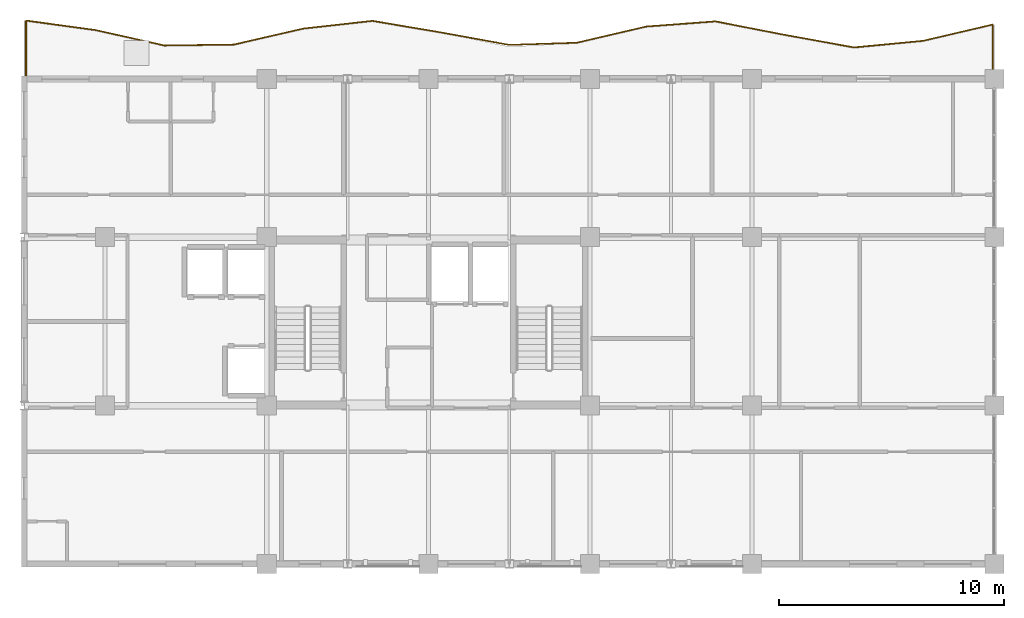
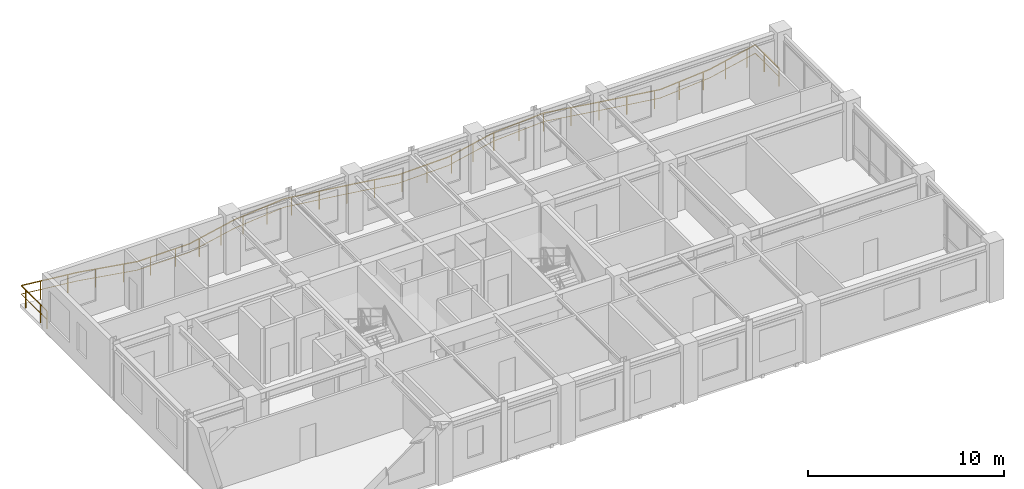
# One storey, part 11 of 11: 1 railing.
"""IFC4 building model written with IfcOpenShell, lengths in metres."""

from ifc_helpers import new_model, si_unit, direction, frame, origin, origin_2d, place, context, subcontext, project, spatial, rectangle, extrude, material, type_object, element, save


model = new_model("IFC4")

# Units and contexts
model_context = context("Model", 3, precision=1e-05, world=origin(), true_north=direction((0.0, 1.0)))
body_context = subcontext(model_context, "Body", "Model", "MODEL_VIEW")
ifc_project = project(units=[si_unit("LENGTHUNIT", "METRE"), si_unit("AREAUNIT", "SQUARE_METRE"), si_unit("VOLUMEUNIT", "CUBIC_METRE"), si_unit("PLANEANGLEUNIT", "RADIAN"), si_unit("MASSUNIT", "GRAM", prefix="KILO")], contexts=[model_context])

# Site, building, storey
site_placement = place(None, origin())
site = spatial("IfcSite", under=ifc_project, at=site_placement, CompositionType="ELEMENT")
building_placement = place(site_placement, origin())
building = spatial("IfcBuilding", under=site, at=building_placement, Name="Kaliganga Portal Commons", CompositionType="ELEMENT")
storey_placement = place(building_placement, frame((0.0, 0.0, 272.10009765625)))
storey = spatial("IfcBuildingStorey", under=building, at=storey_placement, Name="L70", CompositionType="ELEMENT", Elevation=272.10009765625)

# Railing
ifc_material = material(Name="Laminated Safety Glass and Stainless Steel 316", Category="steel")
railing_type = type_object("IfcRailingType", Name="RLG-BAL-1150", PredefinedType="BALUSTRADE", material=ifc_material)
railing_placement = place(storey_placement, frame((46.72021484375, 43.20654296875, 0.0)))
element("IfcRailing", 1, at=railing_placement, inside=storey, type_object=railing_type, Name="Balcony Guardrail L70 balc_north", PredefinedType="BALUSTRADE", context=body_context, shape_type="SweptSolid", body=[
    extrude(rectangle(XDim=0.048095703125, YDim=0.048095703125, at=origin_2d()), frame((0.0, 0.0, 1.1259765625), z_axis=(-0.00010119409, 0.99999999488, 0.0), x_axis=(-0.99999999488, -0.00010119409, 0.0)), (0.0, 0.0, 1.0), 2.41259765625),
    extrude(rectangle(XDim=0.028076171875, YDim=0.028076171875, at=origin_2d()), frame((0.0, 0.0, 0.597900390625), z_axis=(-0.00010119409, 0.99999999488, 0.0), x_axis=(-0.99999999488, -0.00010119409, 0.0)), (0.0, 0.0, 1.0), 2.41259765625),
    extrude(rectangle(XDim=0.048095703125, YDim=0.048095703125, at=origin_2d()), frame((-0.000244140625, 2.41259765625, 1.1259765625), z_axis=(-0.973586620421, -0.228317963678, 0.0), x_axis=(0.228317963678, -0.973586620421, 0.0)), (0.0, 0.0, 1.0), 3.16943359375),
    extrude(rectangle(XDim=0.028076171875, YDim=0.028076171875, at=origin_2d()), frame((-0.000244140625, 2.41259765625, 0.597900390625), z_axis=(-0.973586620421, -0.228317963678, 0.0), x_axis=(0.228317963678, -0.973586620421, 0.0)), (0.0, 0.0, 1.0), 3.16943359375),
    extrude(rectangle(XDim=0.048095703125, YDim=0.048095703125, at=origin_2d()), frame((-3.0859375, 1.68896484375, 1.1259765625), z_axis=(-0.995441151966, -0.095377738352, 0.0), x_axis=(0.095377738352, -0.995441151966, 0.0)), (0.0, 0.0, 1.0), 3.099853515625),
    extrude(rectangle(XDim=0.028076171875, YDim=0.028076171875, at=origin_2d()), frame((-3.0859375, 1.68896484375, 0.597900390625), z_axis=(-0.995441151966, -0.095377738352, 0.0), x_axis=(0.095377738352, -0.995441151966, 0.0)), (0.0, 0.0, 1.0), 3.099853515625),
    extrude(rectangle(XDim=0.048095703125, YDim=0.048095703125, at=origin_2d()), frame((-6.171630859375, 1.393310546875, 1.1259765625), z_axis=(-0.983938345407, 0.178508634071, 0.0), x_axis=(-0.178508634071, -0.983938345407, 0.0)), (0.0, 0.0, 1.0), 3.135986328125),
    extrude(rectangle(XDim=0.028076171875, YDim=0.028076171875, at=origin_2d()), frame((-6.171630859375, 1.393310546875, 0.597900390625), z_axis=(-0.983938345407, 0.178508634071, 0.0), x_axis=(-0.178508634071, -0.983938345407, 0.0)), (0.0, 0.0, 1.0), 3.135986328125),
    extrude(rectangle(XDim=0.048095703125, YDim=0.048095703125, at=origin_2d()), frame((-9.25732421875, 1.953125, 1.1259765625), z_axis=(-0.981548229845, 0.191214728745, 0.0), x_axis=(-0.191214728745, -0.981548229845, 0.0)), (0.0, 0.0, 1.0), 3.1435546875),
    extrude(rectangle(XDim=0.028076171875, YDim=0.028076171875, at=origin_2d()), frame((-9.25732421875, 1.953125, 0.597900390625), z_axis=(-0.981548229845, 0.191214728745, 0.0), x_axis=(-0.191214728745, -0.981548229845, 0.0)), (0.0, 0.0, 1.0), 3.1435546875),
    extrude(rectangle(XDim=0.048095703125, YDim=0.048095703125, at=origin_2d()), frame((-12.3427734375, 2.55419921875, 1.1259765625), z_axis=(-0.997228216015, -0.07440352937, 0.0), x_axis=(0.07440352937, -0.997228216015, 0.0)), (0.0, 0.0, 1.0), 3.09423828125),
    extrude(rectangle(XDim=0.028076171875, YDim=0.028076171875, at=origin_2d()), frame((-12.3427734375, 2.55419921875, 0.597900390625), z_axis=(-0.997228216015, -0.07440352937, 0.0), x_axis=(0.07440352937, -0.997228216015, 0.0)), (0.0, 0.0, 1.0), 3.09423828125),
    extrude(rectangle(XDim=0.048095703125, YDim=0.048095703125, at=origin_2d()), frame((-15.428466796875, 2.323974609375, 1.1259765625), z_axis=(-0.973744521391, -0.227643596575, 0.0), x_axis=(0.227643596575, -0.973744521391, 0.0)), (0.0, 0.0, 1.0), 3.169189453125),
    extrude(rectangle(XDim=0.028076171875, YDim=0.028076171875, at=origin_2d()), frame((-15.428466796875, 2.323974609375, 0.597900390625), z_axis=(-0.973744521391, -0.227643596575, 0.0), x_axis=(0.227643596575, -0.973744521391, 0.0)), (0.0, 0.0, 1.0), 3.169189453125),
    extrude(rectangle(XDim=0.048095703125, YDim=0.048095703125, at=origin_2d()), frame((-18.514404296875, 1.6025390625, 1.1259765625), z_axis=(-0.999480536184, -0.03222821417, 0.0), x_axis=(0.03222821417, -0.999480536184, 0.0)), (0.0, 0.0, 1.0), 3.00732421875),
    extrude(rectangle(XDim=0.028076171875, YDim=0.028076171875, at=origin_2d()), frame((-18.514404296875, 1.6025390625, 0.597900390625), z_axis=(-0.999480536184, -0.03222821417, 0.0), x_axis=(0.03222821417, -0.999480536184, 0.0)), (0.0, 0.0, 1.0), 3.00732421875),
    extrude(rectangle(XDim=0.048095703125, YDim=0.048095703125, at=origin_2d()), frame((-21.520263671875, 1.505615234375, 1.1259765625), z_axis=(-0.983668610771, 0.179989066845, 0.0), x_axis=(-0.179989066845, -0.983668610771, 0.0)), (0.0, 0.0, 1.0), 3.055908203125),
    extrude(rectangle(XDim=0.028076171875, YDim=0.028076171875, at=origin_2d()), frame((-21.520263671875, 1.505615234375, 0.597900390625), z_axis=(-0.983668610771, 0.179989066845, 0.0), x_axis=(-0.179989066845, -0.983668610771, 0.0)), (0.0, 0.0, 1.0), 3.055908203125),
    extrude(rectangle(XDim=0.048095703125, YDim=0.048095703125, at=origin_2d()), frame((-24.5263671875, 2.0556640625, 1.1259765625), z_axis=(-0.986071567883, 0.166321565089, 0.0), x_axis=(-0.166321565089, -0.986071567883, 0.0)), (0.0, 0.0, 1.0), 3.129638671875),
    extrude(rectangle(XDim=0.028076171875, YDim=0.028076171875, at=origin_2d()), frame((-24.5263671875, 2.0556640625, 0.597900390625), z_axis=(-0.986071567883, 0.166321565089, 0.0), x_axis=(-0.166321565089, -0.986071567883, 0.0)), (0.0, 0.0, 1.0), 3.129638671875),
    extrude(rectangle(XDim=0.048095703125, YDim=0.048095703125, at=origin_2d()), frame((-27.6123046875, 2.576171875, 1.1259765625), z_axis=(-0.993841462155, -0.110811317573, 0.0), x_axis=(0.110811317573, -0.993841462155, 0.0)), (0.0, 0.0, 1.0), 3.104248046875),
    extrude(rectangle(XDim=0.028076171875, YDim=0.028076171875, at=origin_2d()), frame((-27.6123046875, 2.576171875, 0.597900390625), z_axis=(-0.993841462155, -0.110811317573, 0.0), x_axis=(0.110811317573, -0.993841462155, 0.0)), (0.0, 0.0, 1.0), 3.104248046875),
    extrude(rectangle(XDim=0.048095703125, YDim=0.048095703125, at=origin_2d()), frame((-30.697509765625, 2.232177734375, 1.1259765625), z_axis=(-0.974520984007, -0.224296348008, 0.0), x_axis=(0.224296348008, -0.974520984007, 0.0)), (0.0, 0.0, 1.0), 3.166259765625),
    extrude(rectangle(XDim=0.028076171875, YDim=0.028076171875, at=origin_2d()), frame((-30.697509765625, 2.232177734375, 0.597900390625), z_axis=(-0.974520984007, -0.224296348008, 0.0), x_axis=(0.224296348008, -0.974520984007, 0.0)), (0.0, 0.0, 1.0), 3.166259765625),
    extrude(rectangle(XDim=0.048095703125, YDim=0.048095703125, at=origin_2d()), frame((-33.783203125, 1.52197265625, 1.1259765625), z_axis=(-0.999904157478, -0.013844705084, 0.0), x_axis=(0.013844705084, -0.999904157478, 0.0)), (0.0, 0.0, 1.0), 3.0859375),
    extrude(rectangle(XDim=0.028076171875, YDim=0.028076171875, at=origin_2d()), frame((-33.783203125, 1.52197265625, 0.597900390625), z_axis=(-0.999904157478, -0.013844705084, 0.0), x_axis=(0.013844705084, -0.999904157478, 0.0)), (0.0, 0.0, 1.0), 3.0859375),
    extrude(rectangle(XDim=0.048095703125, YDim=0.048095703125, at=origin_2d()), frame((-36.868896484375, 1.479248046875, 1.1259765625), z_axis=(-0.975968537551, 0.217911481365, 0.0), x_axis=(-0.217911481365, -0.975968537551, 0.0)), (0.0, 0.0, 1.0), 3.16162109375),
    extrude(rectangle(XDim=0.028076171875, YDim=0.028076171875, at=origin_2d()), frame((-36.868896484375, 1.479248046875, 0.597900390625), z_axis=(-0.975968537551, 0.217911481365, 0.0), x_axis=(-0.217911481365, -0.975968537551, 0.0)), (0.0, 0.0, 1.0), 3.16162109375),
    extrude(rectangle(XDim=0.048095703125, YDim=0.048095703125, at=origin_2d()), frame((-39.95458984375, 2.168212890625, 1.1259765625), z_axis=(-0.990782882157, 0.135459515814, 0.0), x_axis=(-0.135459515814, -0.990782882157, 0.0)), (0.0, 0.0, 1.0), 3.114501953125),
    extrude(rectangle(XDim=0.028076171875, YDim=0.028076171875, at=origin_2d()), frame((-39.95458984375, 2.168212890625, 0.597900390625), z_axis=(-0.990782882157, 0.135459515814, 0.0), x_axis=(-0.135459515814, -0.990782882157, 0.0)), (0.0, 0.0, 1.0), 3.114501953125),
    extrude(rectangle(XDim=0.048095703125, YDim=0.048095703125, at=origin_2d()), frame((-43.040283203125, 2.590087890625, 1.1259765625), z_axis=(-9.425959e-05, -0.999999995558, 0.0), x_axis=(0.999999995558, -9.425959e-05, 0.0)), (0.0, 0.0, 1.0), 2.590087890625),
    extrude(rectangle(XDim=0.028076171875, YDim=0.028076171875, at=origin_2d()), frame((-43.040283203125, 2.590087890625, 0.597900390625), z_axis=(-9.425959e-05, -0.999999995558, 0.0), x_axis=(0.999999995558, -9.425959e-05, 0.0)), (0.0, 0.0, 1.0), 2.590087890625),
    extrude(rectangle(XDim=0.0419921875, YDim=0.0419921875, at=origin_2d()), origin(), (0.0, 0.0, 1.0), 1.101806640625),
    extrude(rectangle(XDim=0.0419921875, YDim=0.0419921875, at=origin_2d()), frame((-0.000244140625, 1.5, 0.0)), (0.0, 0.0, 1.0), 1.101806640625),
    extrude(rectangle(XDim=0.0419921875, YDim=0.0419921875, at=origin_2d()), frame((-0.572021484375, 2.278564453125, 0.0)), (0.0, 0.0, 1.0), 1.101806640625),
    extrude(rectangle(XDim=0.0419921875, YDim=0.0419921875, at=origin_2d()), frame((-2.032470703125, 1.93603515625, 0.0)), (0.0, 0.0, 1.0), 1.101806640625),
    extrude(rectangle(XDim=0.0419921875, YDim=0.0419921875, at=origin_2d()), frame((-3.501953125, 1.649169921875, 0.0)), (0.0, 0.0, 1.0), 1.101806640625),
    extrude(rectangle(XDim=0.0419921875, YDim=0.0419921875, at=origin_2d()), frame((-4.9951171875, 1.506103515625, 0.0)), (0.0, 0.0, 1.0), 1.101806640625),
    extrude(rectangle(XDim=0.0419921875, YDim=0.0419921875, at=origin_2d()), frame((-6.484619140625, 1.4501953125, 0.0)), (0.0, 0.0, 1.0), 1.101806640625),
    extrude(rectangle(XDim=0.0419921875, YDim=0.0419921875, at=origin_2d()), frame((-7.960693359375, 1.7177734375, 0.0)), (0.0, 0.0, 1.0), 1.101806640625),
    extrude(rectangle(XDim=0.0419921875, YDim=0.0419921875, at=origin_2d()), frame((-9.43603515625, 1.988037109375, 0.0)), (0.0, 0.0, 1.0), 1.101806640625),
    extrude(rectangle(XDim=0.0419921875, YDim=0.0419921875, at=origin_2d()), frame((-10.908447265625, 2.274658203125, 0.0)), (0.0, 0.0, 1.0), 1.101806640625),
    extrude(rectangle(XDim=0.0419921875, YDim=0.0419921875, at=origin_2d()), frame((-12.38134765625, 2.55126953125, 0.0)), (0.0, 0.0, 1.0), 1.101806640625),
    extrude(rectangle(XDim=0.0419921875, YDim=0.0419921875, at=origin_2d()), frame((-13.877197265625, 2.439697265625, 0.0)), (0.0, 0.0, 1.0), 1.101806640625),
    extrude(rectangle(XDim=0.0419921875, YDim=0.0419921875, at=origin_2d()), frame((-15.428466796875, 2.323974609375, 0.0)), (0.0, 0.0, 1.0), 1.101806640625),
    extrude(rectangle(XDim=0.0419921875, YDim=0.0419921875, at=origin_2d()), frame((-16.8349609375, 1.9951171875, 0.0)), (0.0, 0.0, 1.0), 1.101806640625),
    extrude(rectangle(XDim=0.0419921875, YDim=0.0419921875, at=origin_2d()), frame((-18.295654296875, 1.65380859375, 0.0)), (0.0, 0.0, 1.0), 1.101806640625),
    extrude(rectangle(XDim=0.0419921875, YDim=0.0419921875, at=origin_2d()), frame((-19.7890625, 1.5615234375, 0.0)), (0.0, 0.0, 1.0), 1.101806640625),
    extrude(rectangle(XDim=0.0419921875, YDim=0.0419921875, at=origin_2d()), frame((-21.2880859375, 1.51318359375, 0.0)), (0.0, 0.0, 1.0), 1.101806640625),
    extrude(rectangle(XDim=0.0419921875, YDim=0.0419921875, at=origin_2d()), frame((-22.767333984375, 1.73388671875, 0.0)), (0.0, 0.0, 1.0), 1.101806640625),
    extrude(rectangle(XDim=0.0419921875, YDim=0.0419921875, at=origin_2d()), frame((-24.242919921875, 2.00390625, 0.0)), (0.0, 0.0, 1.0), 1.101806640625),
    extrude(rectangle(XDim=0.0419921875, YDim=0.0419921875, at=origin_2d()), frame((-25.72119140625, 2.25732421875, 0.0)), (0.0, 0.0, 1.0), 1.101806640625),
    extrude(rectangle(XDim=0.0419921875, YDim=0.0419921875, at=origin_2d()), frame((-27.200439453125, 2.506591796875, 0.0)), (0.0, 0.0, 1.0), 1.101806640625),
    extrude(rectangle(XDim=0.0419921875, YDim=0.0419921875, at=origin_2d()), frame((-28.68798828125, 2.456298828125, 0.0)), (0.0, 0.0, 1.0), 1.101806640625),
    extrude(rectangle(XDim=0.0419921875, YDim=0.0419921875, at=origin_2d()), frame((-30.1787109375, 2.2900390625, 0.0)), (0.0, 0.0, 1.0), 1.101806640625),
    extrude(rectangle(XDim=0.0419921875, YDim=0.0419921875, at=origin_2d()), frame((-31.650634765625, 2.012939453125, 0.0)), (0.0, 0.0, 1.0), 1.101806640625),
    extrude(rectangle(XDim=0.0419921875, YDim=0.0419921875, at=origin_2d()), frame((-33.1123046875, 1.67626953125, 0.0)), (0.0, 0.0, 1.0), 1.101806640625),
    extrude(rectangle(XDim=0.0419921875, YDim=0.0419921875, at=origin_2d()), frame((-34.5947265625, 1.5107421875, 0.0)), (0.0, 0.0, 1.0), 1.101806640625),
    extrude(rectangle(XDim=0.0419921875, YDim=0.0419921875, at=origin_2d()), frame((-36.094482421875, 1.489990234375, 0.0)), (0.0, 0.0, 1.0), 1.101806640625),
    extrude(rectangle(XDim=0.0419921875, YDim=0.0419921875, at=origin_2d()), frame((-37.5771484375, 1.637451171875, 0.0)), (0.0, 0.0, 1.0), 1.101806640625),
    extrude(rectangle(XDim=0.0419921875, YDim=0.0419921875, at=origin_2d()), frame((-39.041015625, 1.964111328125, 0.0)), (0.0, 0.0, 1.0), 1.101806640625),
    extrude(rectangle(XDim=0.0419921875, YDim=0.0419921875, at=origin_2d()), frame((-40.513427734375, 2.24462890625, 0.0)), (0.0, 0.0, 1.0), 1.101806640625),
    extrude(rectangle(XDim=0.0419921875, YDim=0.0419921875, at=origin_2d()), frame((-41.99951171875, 2.44775390625, 0.0)), (0.0, 0.0, 1.0), 1.101806640625),
    extrude(rectangle(XDim=0.0419921875, YDim=0.0419921875, at=origin_2d()), frame((-43.040283203125, 2.140625, 0.0)), (0.0, 0.0, 1.0), 1.101806640625),
    extrude(rectangle(XDim=0.0419921875, YDim=0.0419921875, at=origin_2d()), frame((-43.04052734375, 0.640625, 0.0)), (0.0, 0.0, 1.0), 1.101806640625),
    extrude(rectangle(XDim=0.0419921875, YDim=0.0419921875, at=origin_2d()), frame((-43.04052734375, 0.0, 0.0)), (0.0, 0.0, 1.0), 1.101806640625),
])

save(model, "model.ifc")
